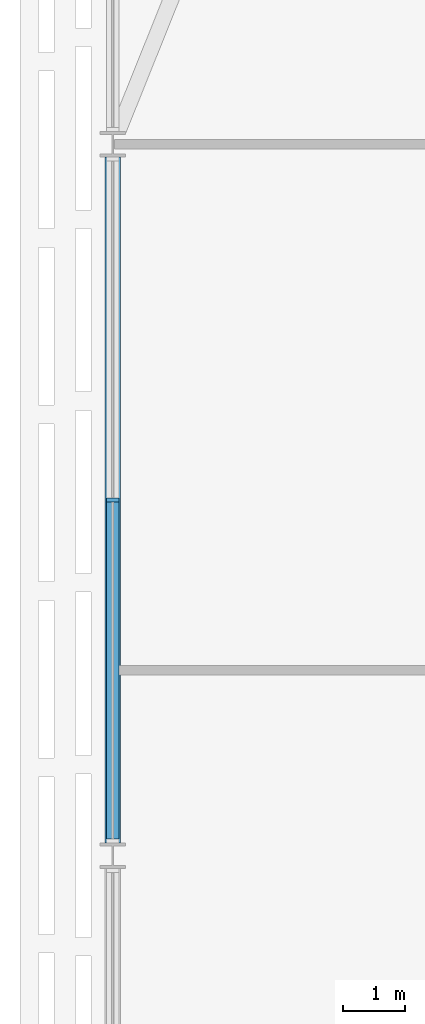
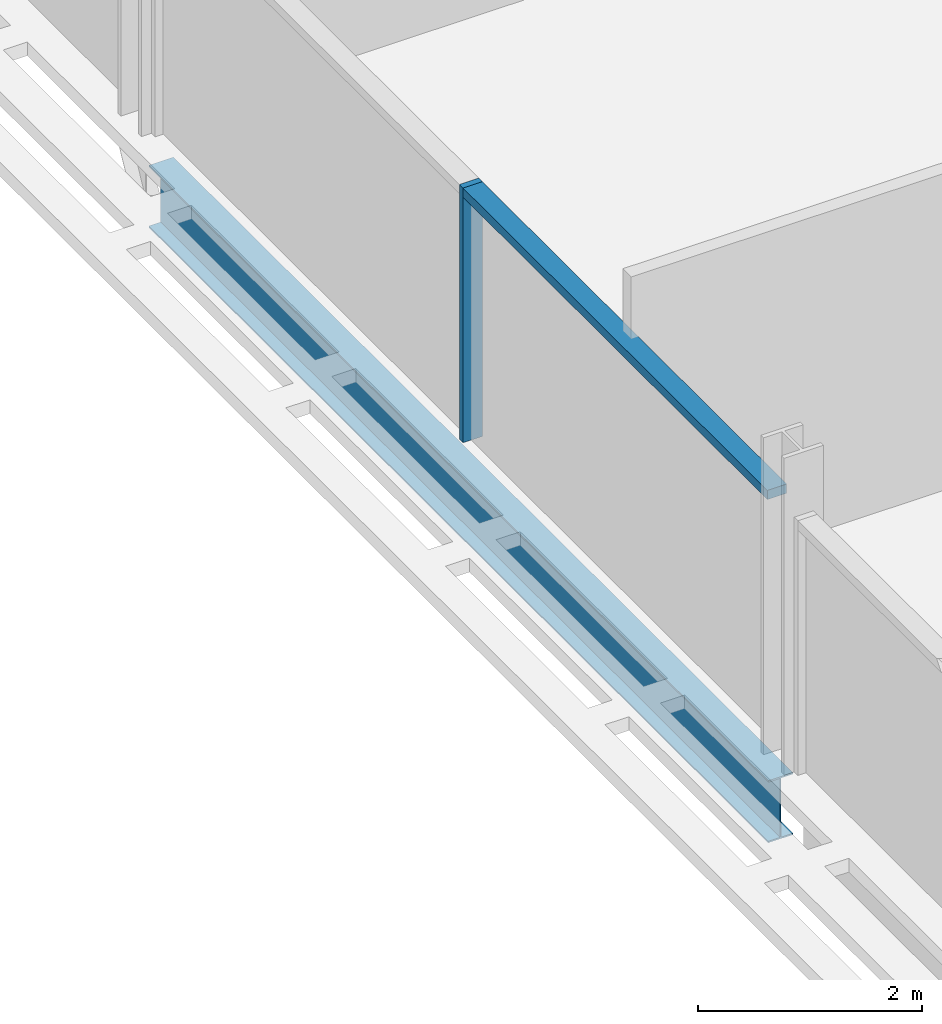
# One storey, part 4 of 27: 2 members, 1 beam, 1 element without a shape of its own.
"""IFC4 building model written with IfcOpenShell, lengths in metres."""

from ifc_helpers import new_model, si_unit, direction, frame, origin, origin_2d, place, context, subcontext, project, spatial, rectangle, i_section, extrude, material, material_profile, profile_set, type_object, element, aggregate, save


model = new_model("IFC4")

# Units and contexts
model_context = context("Model", 3, precision=1e-05, world=origin(), true_north=direction((0.0, 1.0)))
body_context = subcontext(model_context, "Body", "Model", "MODEL_VIEW")
ifc_project = project(units=[si_unit("LENGTHUNIT", "METRE"), si_unit("AREAUNIT", "SQUARE_METRE"), si_unit("VOLUMEUNIT", "CUBIC_METRE"), si_unit("PLANEANGLEUNIT", "RADIAN"), si_unit("MASSUNIT", "GRAM", prefix="KILO")], contexts=[model_context])

# Site, building, storey
site_placement = place(None, origin())
site = spatial("IfcSite", under=ifc_project, at=site_placement, CompositionType="ELEMENT")
building_placement = place(site_placement, origin())
building = spatial("IfcBuilding", under=site, at=building_placement, Name="Mahtab Terrace Research Tower", CompositionType="ELEMENT")
storey_placement = place(building_placement, frame((0.0, 0.0, 166.800048828125)))
storey = spatial("IfcBuildingStorey", under=building, at=storey_placement, Name="L39", CompositionType="ELEMENT", Elevation=166.800048828125)

# Curtain wall, members
ifc_material_1 = material(Name="Laboratory ribbon curtain wall")
curtain_wall_type = type_object("IfcCurtainWallType", Name="Laboratory ribbon curtain wall", PredefinedType="NOTDEFINED", material=ifc_material_1)
curtain_wall_placement = place(storey_placement, origin())
curtain_wall = element("IfcCurtainWall", 1, at=curtain_wall_placement, inside=storey, type_object=curtain_wall_type, Name="EN.L39.8.16", PredefinedType="NOTDEFINED")
ifc_material_2 = material(Name="Natural anodised aluminium", Category="aluminium")
ifc_material_profile_1 = material_profile(ifc_material_2, rectangle(XDim=0.199951171875, YDim=0.06494140625, at=origin_2d()), Name="MULLION 65x200")
ifc_profile_set_1 = profile_set([ifc_material_profile_1], Name="Natural anodised aluminium")
member_type_1 = type_object("IfcMemberType", Name="Laboratory ribbon curtain wall mullion", PredefinedType="MULLION", material=ifc_profile_set_1)
member_1_placement = place(storey_placement, frame((-48.0, 5.75, 0.0), z_axis=(0.0, 0.0, 1.0), x_axis=(1.0, 0.0, 0.0)))
member_1 = element("IfcMember", 2, at=member_1_placement, type_object=member_type_1, Name="CWL-5 mullion 2", PredefinedType="MULLION", context=body_context, shape_type="SweptSolid", body=[
    extrude(rectangle(XDim=0.199951171875, YDim=0.06494140625, at=origin_2d()), origin(), (0.0, 0.0, 1.0), 2.78173828125),
])
ifc_material_profile_2 = material_profile(ifc_material_2, rectangle(XDim=0.199951171875, YDim=0.10009765625, at=origin_2d()), Name="TRANSOM 100x200")
ifc_profile_set_2 = profile_set([ifc_material_profile_2], Name="Natural anodised aluminium")
member_type_2 = type_object("IfcMemberType", Name="Laboratory ribbon curtain wall transom", PredefinedType="USERDEFINED", material=ifc_profile_set_2)
member_2_placement = place(storey_placement, frame((-48.0, 5.717529296875, 2.731689453125), z_axis=(0.0, -1.0, 0.0), x_axis=(1.0, 0.0, 0.0)))
member_2 = element("IfcMember", 3, at=member_2_placement, type_object=member_type_2, Name="CWL-5 transom 2", ObjectType="TRANSOM", PredefinedType="USERDEFINED", context=body_context, shape_type="SweptSolid", body=[
    extrude(rectangle(XDim=0.199951171875, YDim=0.10009765625, at=origin_2d()), origin(), (0.0, 0.0, 1.0), 5.444580078125),
])
aggregate(curtain_wall, [member_1, member_2])

# Beam
ifc_material_3 = material(Name="Steel ASTM A992 Gr 50", Category="steel")
ifc_material_profile_3 = material_profile(ifc_material_3, i_section(OverallWidth=0.25390625, OverallDepth=0.67822265625, WebThickness=0.01171875, FlangeThickness=0.016357421875, at=origin_2d()), Name="W27X84")
ifc_profile_set_3 = profile_set([ifc_material_profile_3], Name="Steel ASTM A992 Gr 50")
beam_type = type_object("IfcBeamType", Name="W27x84 beam BS2784", PredefinedType="BEAM", material=ifc_profile_set_3)
beam_placement = place(storey_placement, frame((-48.0, 11.291748046875, -0.67919921875), z_axis=(0.0, -1.0, 0.0), x_axis=(1.0, 0.0, 0.0)))
element("IfcBeam", 4, at=beam_placement, inside=storey, type_object=beam_type, Name="Spandrel beam L39 09", PredefinedType="BEAM", context=body_context, shape_type="SweptSolid", body=[
    extrude(i_section(OverallWidth=0.25390625, OverallDepth=0.67822265625, WebThickness=0.01171875, FlangeThickness=0.016357421875, at=origin_2d()), origin(), (0.0, 0.0, 1.0), 11.08349609375),
])

save(model, "model.ifc")
